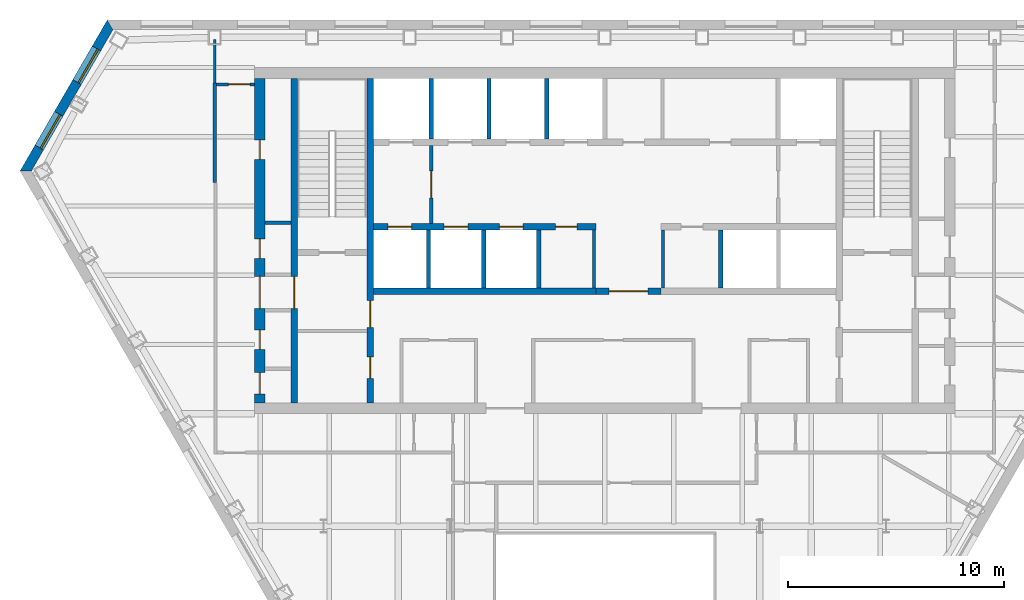
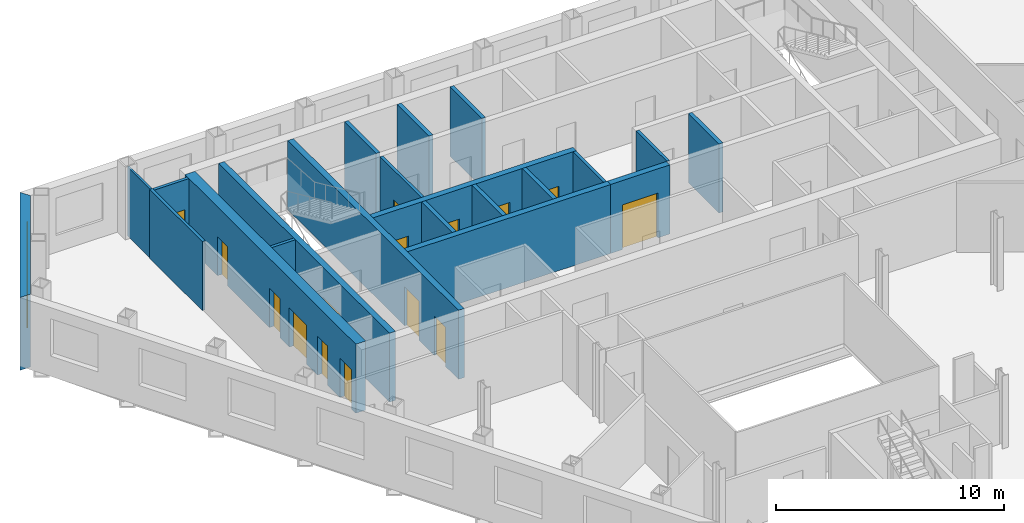
# One storey, part 6 of 11: 21 walls, 15 doors, 2 windows, 17 openings.
"""IFC4 building model written with IfcOpenShell, lengths in metres."""

from ifc_helpers import new_model, si_unit, direction, frame, frame_2d, origin, place, context, subcontext, project, spatial, polyline, rectangle, outline, extrude, material, layer, layer_set, type_object, element, fill, save


model = new_model("IFC4")

# Units and contexts
model_context = context("Model", 3, precision=1e-05, world=origin(), true_north=direction((0.0, 1.0)))
body_context = subcontext(model_context, "Body", "Model", "MODEL_VIEW")
ifc_project = project(units=[si_unit("LENGTHUNIT", "METRE"), si_unit("AREAUNIT", "SQUARE_METRE"), si_unit("VOLUMEUNIT", "CUBIC_METRE"), si_unit("PLANEANGLEUNIT", "RADIAN"), si_unit("MASSUNIT", "GRAM", prefix="KILO")], contexts=[model_context])

# Site, building, storey
site_placement = place(None, origin())
site = spatial("IfcSite", under=ifc_project, at=site_placement, CompositionType="ELEMENT")
building_placement = place(site_placement, origin())
building = spatial("IfcBuilding", under=site, at=building_placement, Name="Njiva Tower", CompositionType="ELEMENT")
storey_placement = place(building_placement, frame((0.0, 0.0, 174.9)))
storey = spatial("IfcBuildingStorey", under=building, at=storey_placement, Name="L38", CompositionType="ELEMENT", Elevation=174.9)

# Walls
ifc_material_1 = material(Name="Blockwork", Category="masonry")
ifc_layer_1 = layer(ifc_material_1, 0.15)
ifc_layer_set_1 = layer_set([ifc_layer_1], Name="Blockwork")
wall_type_1 = type_object("IfcWallType", Name="WT1 Compartment partition 150", PredefinedType="PARTITIONING", material=ifc_layer_set_1)
for number, where, z_axis, x_axis, name in (
    (1, (-0.5, 7.8, 0.0), (0.0, 0.0, 1.0), (0.0, 1.0, 0.0), "Partition CS4"),
    (2, (2.7, 7.8, 0.0), (0.0, 0.0, 1.0), (0.0, 1.0, 0.0), "Partition CS5"),
):
    element("IfcWall", number, at=place(storey_placement, frame(where, z_axis=z_axis, x_axis=x_axis)), inside=storey, type_object=wall_type_1, Name=name, PredefinedType="PARTITIONING", context=body_context, shape_type="SweptSolid", body=[
        extrude(rectangle(XDim=2.7, YDim=0.15, at=frame_2d((1.35, 0.0))), origin(), (0.0, 0.0, 1.0), 3.7),
    ])

# Wall, openings, doors
ifc_material_2 = material(Name="Concrete C40/50", Category="concrete")
ifc_layer_2 = layer(ifc_material_2, 0.3)
ifc_layer_set_2 = layer_set([ifc_layer_2], Name="Concrete C40/50")
wall_type_2 = type_object("IfcWallType", Name="WT10 Stair enclosure wall 300", PredefinedType="SHEAR", material=ifc_layer_set_2)
wall_1_placement = place(storey_placement, frame((-10.85, 2.5, 0.0), z_axis=(0.0, 0.0, 1.0), x_axis=(0.0, 1.0, 0.0)))
wall_1 = element("IfcWall", 3, at=wall_1_placement, inside=storey, type_object=wall_type_2, Name="Stair wall west inner", PredefinedType="SHEAR", context=body_context, shape_type="SweptSolid", body=[
    extrude(rectangle(XDim=15.0, YDim=0.3, at=frame_2d((7.5, 0.0))), origin(), (0.0, 0.0, 1.0), 3.7),
])
opening_1_placement = place(wall_1_placement, frame((3.475, 0.0, 0.0)))
opening_1 = element("IfcOpeningElement", 4, at=opening_1_placement, cuts=wall_1, Name="Opening S13-D915", PredefinedType="OPENING", context=body_context, shape_type="SweptSolid", body=[
    extrude(rectangle(XDim=1.25, YDim=2.1, at=frame_2d((0.625, 1.05))), frame((0.0, 0.16, 0.0), z_axis=(0.0, -1.0, 0.0), x_axis=(1.0, 0.0, 0.0)), (0.0, 0.0, 1.0), 0.32),
])
opening_2_placement = place(wall_1_placement, frame((1.125, 0.0, 0.0)))
opening_2 = element("IfcOpeningElement", 5, at=opening_2_placement, cuts=wall_1, Name="Opening S13-D916", PredefinedType="OPENING", context=body_context, shape_type="SweptSolid", body=[
    extrude(rectangle(XDim=1.0, YDim=2.1, at=frame_2d((0.5, 1.05))), frame((0.0, 0.16, 0.0), z_axis=(0.0, -1.0, 0.0), x_axis=(1.0, 0.0, 0.0)), (0.0, 0.0, 1.0), 0.32),
])
ifc_material_3 = material(Name="Steel door, painted", Category="steel")
door_type_1 = type_object("IfcDoorType", Name="D5 Steel door 1000x2100", OperationType="SINGLE_SWING_LEFT", PredefinedType="DOOR", material=ifc_material_3)
door_1_placement = place(opening_2_placement, origin())
door_1 = element("IfcDoor", 6, at=door_1_placement, inside=storey, type_object=door_type_1, Name="Reading room door", OperationType="SINGLE_SWING_RIGHT", OverallHeight=2.1, OverallWidth=1.0, PredefinedType="DOOR", context=body_context, shape_type="SweptSolid", body=[
    extrude(rectangle(XDim=1.0, YDim=2.1, at=frame_2d((0.5, 1.05))), frame((0.0, 0.025, 0.0), z_axis=(0.0, -1.0, 0.0), x_axis=(1.0, 0.0, 0.0)), (0.0, 0.0, 1.0), 0.05),
])
fill(opening_2, door_1)
ifc_material_4 = material(Name="Glazed steel fire door", Category="steel")
door_type_2 = type_object("IfcDoorType", Name="D8 Vestibule corridor door 1250x2100 glazed", OperationType="SINGLE_SWING_LEFT", PredefinedType="DOOR", material=ifc_material_4)
door_2_placement = place(opening_1_placement, origin())
door_2 = element("IfcDoor", 7, at=door_2_placement, inside=storey, type_object=door_type_2, Name="Stair vestibule corridor door", OperationType="SINGLE_SWING_LEFT", OverallHeight=2.1, OverallWidth=1.25, PredefinedType="DOOR", context=body_context, shape_type="SweptSolid", body=[
    extrude(rectangle(XDim=1.25, YDim=2.1, at=frame_2d((0.625, 1.05))), frame((0.0, 0.025, 0.0), z_axis=(0.0, -1.0, 0.0), x_axis=(1.0, 0.0, 0.0)), (0.0, 0.0, 1.0), 0.05),
])
fill(opening_1, door_2)

# Wall, opening, door
wall_2_placement = place(storey_placement, frame((-14.35, 2.5, 0.0), z_axis=(0.0, 0.0, 1.0), x_axis=(0.0, 1.0, 0.0)))
wall_2 = element("IfcWall", 8, at=wall_2_placement, inside=storey, type_object=wall_type_2, Name="Stair wall west outer", PredefinedType="SHEAR", context=body_context, shape_type="SweptSolid", body=[
    extrude(rectangle(XDim=15.0, YDim=0.3, at=frame_2d((7.5, 0.0))), origin(), (0.0, 0.0, 1.0), 3.7),
])
opening_3_placement = place(wall_2_placement, frame((4.35, 0.0, 0.0)))
opening_3 = element("IfcOpeningElement", 9, at=opening_3_placement, cuts=wall_2, Name="Opening S13-D921", PredefinedType="OPENING", context=body_context, shape_type="SweptSolid", body=[
    extrude(rectangle(XDim=1.5, YDim=2.1, at=frame_2d((0.75, 1.05))), frame((0.0, 0.16, 0.0), z_axis=(0.0, -1.0, 0.0), x_axis=(1.0, 0.0, 0.0)), (0.0, 0.0, 1.0), 0.32),
])
door_type_3 = type_object("IfcDoorType", Name="D10 Exit door double 1500x2100 glazed", OperationType="DOUBLE_DOOR_SINGLE_SWING", PredefinedType="DOOR", material=ifc_material_4)
door_3_placement = place(opening_3_placement, origin())
door_3 = element("IfcDoor", 10, at=door_3_placement, inside=storey, type_object=door_type_3, Name="Stair A passage door", OperationType="DOUBLE_DOOR_SINGLE_SWING", OverallHeight=2.1, OverallWidth=1.5, PredefinedType="DOOR", context=body_context, shape_type="SweptSolid", body=[
    extrude(rectangle(XDim=1.5, YDim=2.1, at=frame_2d((0.75, 1.05))), frame((0.0, 0.025, 0.0), z_axis=(0.0, -1.0, 0.0), x_axis=(1.0, 0.0, 0.0)), (0.0, 0.0, 1.0), 0.05),
])
fill(opening_3, door_3)

# Wall, openings, doors
ifc_material_5 = material(Name="Concrete C60/75", Category="concrete")
ifc_layer_3 = layer(ifc_material_5, 0.5)
ifc_layer_set_3 = layer_set([ifc_layer_3], Name="Concrete C60/75")
wall_type_3 = type_object("IfcWallType", Name="WT13 Core wall 500", PredefinedType="SHEAR", material=ifc_layer_set_3)
wall_3_placement = place(storey_placement, frame((-15.95, 2.5, 0.0), z_axis=(0.0, 0.0, 1.0), x_axis=(0.0, 1.0, 0.0)))
wall_3 = element("IfcWall", 11, at=wall_3_placement, inside=storey, type_object=wall_type_3, Name="Core wall west", PredefinedType="SHEAR", context=body_context, shape_type="SweptSolid", body=[
    extrude(rectangle(XDim=15.0, YDim=0.5, at=frame_2d((7.5, 0.0))), origin(), (0.0, 0.0, 1.0), 3.7),
])
opening_4_placement = place(wall_3_placement, frame((4.35, 0.0, 0.0)))
opening_4 = element("IfcOpeningElement", 12, at=opening_4_placement, cuts=wall_3, Name="Opening S13-D922", PredefinedType="OPENING", context=body_context, shape_type="SweptSolid", body=[
    extrude(rectangle(XDim=1.5, YDim=2.1, at=frame_2d((0.75, 1.05))), frame((0.0, 0.26, 0.0), z_axis=(0.0, -1.0, 0.0), x_axis=(1.0, 0.0, 0.0)), (0.0, 0.0, 1.0), 0.52),
])
opening_5_placement = place(wall_3_placement, frame((0.4, 0.0, 0.0)))
opening_5 = element("IfcOpeningElement", 13, at=opening_5_placement, cuts=wall_3, Name="Opening S13-D923", PredefinedType="OPENING", context=body_context, shape_type="SweptSolid", body=[
    extrude(rectangle(XDim=1.0, YDim=2.1, at=frame_2d((0.5, 1.05))), frame((0.0, 0.26, 0.0), z_axis=(0.0, -1.0, 0.0), x_axis=(1.0, 0.0, 0.0)), (0.0, 0.0, 1.0), 0.52),
])
opening_6_placement = place(wall_3_placement, frame((2.475, 0.0, 0.0)))
opening_6 = element("IfcOpeningElement", 14, at=opening_6_placement, cuts=wall_3, Name="Opening S13-D924", PredefinedType="OPENING", context=body_context, shape_type="SweptSolid", body=[
    extrude(rectangle(XDim=0.9, YDim=2.1, at=frame_2d((0.45, 1.05))), frame((0.0, 0.26, 0.0), z_axis=(0.0, -1.0, 0.0), x_axis=(1.0, 0.0, 0.0)), (0.0, 0.0, 1.0), 0.52),
])
opening_7_placement = place(wall_3_placement, frame((6.6773, 0.0, 0.0)))
opening_7 = element("IfcOpeningElement", 15, at=opening_7_placement, cuts=wall_3, Name="Opening S13-D925", PredefinedType="OPENING", context=body_context, shape_type="SweptSolid", body=[
    extrude(rectangle(XDim=0.9, YDim=2.1, at=frame_2d((0.45, 1.05))), frame((0.0, 0.26, 0.0), z_axis=(0.0, -1.0, 0.0), x_axis=(1.0, 0.0, 0.0)), (0.0, 0.0, 1.0), 0.52),
])
opening_8_placement = place(wall_3_placement, frame((11.2523, 0.0, 0.0)))
opening_8 = element("IfcOpeningElement", 16, at=opening_8_placement, cuts=wall_3, Name="Opening S13-D926", PredefinedType="OPENING", context=body_context, shape_type="SweptSolid", body=[
    extrude(rectangle(XDim=0.9, YDim=2.1, at=frame_2d((0.45, 1.05))), frame((0.0, 0.26, 0.0), z_axis=(0.0, -1.0, 0.0), x_axis=(1.0, 0.0, 0.0)), (0.0, 0.0, 1.0), 0.52),
])
door_4_placement = place(opening_4_placement, origin())
door_4 = element("IfcDoor", 17, at=door_4_placement, inside=storey, type_object=door_type_3, Name="Stair A corridor door", OperationType="DOUBLE_DOOR_SINGLE_SWING", OverallHeight=2.1, OverallWidth=1.5, PredefinedType="DOOR", context=body_context, shape_type="SweptSolid", body=[
    extrude(rectangle(XDim=1.5, YDim=2.1, at=frame_2d((0.75, 1.05))), frame((0.0, 0.025, 0.0), z_axis=(0.0, -1.0, 0.0), x_axis=(1.0, 0.0, 0.0)), (0.0, 0.0, 1.0), 0.05),
])
fill(opening_4, door_4)
door_type_4 = type_object("IfcDoorType", Name="D4 Riser door 900x2100", OperationType="SINGLE_SWING_LEFT", PredefinedType="DOOR", material=ifc_material_3)
door_5_placement = place(opening_7_placement, origin())
door_5 = element("IfcDoor", 18, at=door_5_placement, inside=storey, type_object=door_type_4, Name="Cable riser door", OperationType="SINGLE_SWING_RIGHT", OverallHeight=2.1, OverallWidth=0.9, PredefinedType="DOOR", context=body_context, shape_type="SweptSolid", body=[
    extrude(rectangle(XDim=0.9, YDim=2.1, at=frame_2d((0.45, 1.05))), frame((0.0, 0.025, 0.0), z_axis=(0.0, -1.0, 0.0), x_axis=(1.0, 0.0, 0.0)), (0.0, 0.0, 1.0), 0.05),
])
fill(opening_7, door_5)
door_6_placement = place(opening_5_placement, origin())
door_6 = element("IfcDoor", 19, at=door_6_placement, inside=storey, type_object=door_type_1, Name="Electrical room door", OperationType="SINGLE_SWING_RIGHT", OverallHeight=2.1, OverallWidth=1.0, PredefinedType="DOOR", context=body_context, shape_type="SweptSolid", body=[
    extrude(rectangle(XDim=1.0, YDim=2.1, at=frame_2d((0.5, 1.05))), frame((0.0, 0.025, 0.0), z_axis=(0.0, -1.0, 0.0), x_axis=(1.0, 0.0, 0.0)), (0.0, 0.0, 1.0), 0.05),
])
fill(opening_5, door_6)
ifc_material_6 = material(Name="Steel fire door, painted", Category="steel")
door_type_5 = type_object("IfcDoorType", Name="D6 Fire-rated door 900x2100", OperationType="SINGLE_SWING_LEFT", PredefinedType="DOOR", material=ifc_material_6)
door_7_placement = place(opening_6_placement, origin())
door_7 = element("IfcDoor", 20, at=door_7_placement, inside=storey, type_object=door_type_5, Name="Cable store door", OperationType="SINGLE_SWING_RIGHT", OverallHeight=2.1, OverallWidth=0.9, PredefinedType="DOOR", context=body_context, shape_type="SweptSolid", body=[
    extrude(rectangle(XDim=0.9, YDim=2.1, at=frame_2d((0.45, 1.05))), frame((0.0, 0.025, 0.0), z_axis=(0.0, -1.0, 0.0), x_axis=(1.0, 0.0, 0.0)), (0.0, 0.0, 1.0), 0.05),
])
fill(opening_6, door_7)
door_8_placement = place(opening_8_placement, origin())
door_8 = element("IfcDoor", 21, at=door_8_placement, inside=storey, type_object=door_type_5, Name="Cable store door", OperationType="SINGLE_SWING_LEFT", OverallHeight=2.1, OverallWidth=0.9, PredefinedType="DOOR", context=body_context, shape_type="SweptSolid", body=[
    extrude(rectangle(XDim=0.9, YDim=2.1, at=frame_2d((0.45, 1.05))), frame((0.0, 0.025, 0.0), z_axis=(0.0, -1.0, 0.0), x_axis=(1.0, 0.0, 0.0)), (0.0, 0.0, 1.0), 0.05),
])
fill(opening_8, door_8)

# Wall, opening, door
ifc_layer_4 = layer(ifc_material_1, 0.15)
ifc_layer_set_4 = layer_set([ifc_layer_4], Name="Blockwork")
wall_type_4 = type_object("IfcWallType", Name="WT2 Lobby partition 150", PredefinedType="PARTITIONING", material=ifc_layer_set_4)
wall_4_placement = place(storey_placement, frame((-8.025, 10.8, 0.0), z_axis=(0.0, 0.0, 1.0), x_axis=(0.0, 1.0, 0.0)))
wall_4 = element("IfcWall", 22, at=wall_4_placement, inside=storey, type_object=wall_type_4, Name="Firefighting lobby wall A", PredefinedType="PARTITIONING", context=body_context, shape_type="SweptSolid", body=[
    extrude(rectangle(XDim=3.6, YDim=0.15, at=frame_2d((1.8, 0.0))), origin(), (0.0, 0.0, 1.0), 3.7),
])
opening_9_placement = place(wall_4_placement, frame((1.175, 0.0, 0.0)))
opening_9 = element("IfcOpeningElement", 23, at=opening_9_placement, cuts=wall_4, Name="Opening S13-D913", PredefinedType="OPENING", context=body_context, shape_type="SweptSolid", body=[
    extrude(rectangle(XDim=1.25, YDim=2.1, at=frame_2d((0.625, 1.05))), frame((0.0, 0.085, 0.0), z_axis=(0.0, -1.0, 0.0), x_axis=(1.0, 0.0, 0.0)), (0.0, 0.0, 1.0), 0.17),
])
door_9_placement = place(opening_9_placement, origin())
door_9 = element("IfcDoor", 24, at=door_9_placement, inside=storey, type_object=door_type_2, Name="Stair vestibule corridor door", OperationType="SINGLE_SWING_RIGHT", OverallHeight=2.1, OverallWidth=1.25, PredefinedType="DOOR", context=body_context, shape_type="SweptSolid", body=[
    extrude(rectangle(XDim=1.25, YDim=2.1, at=frame_2d((0.625, 1.05))), frame((0.0, 0.025, 0.0), z_axis=(0.0, -1.0, 0.0), x_axis=(1.0, 0.0, 0.0)), (0.0, 0.0, 1.0), 0.05),
])
fill(opening_9, door_9)

# Walls
ifc_material_7 = material(Name="Gypsum board on steel studs", Category="gypsum")
ifc_layer_5 = layer(ifc_material_7, 0.1)
ifc_layer_set_5 = layer_set([ifc_layer_5], Name="Gypsum board on steel studs")
wall_type_5 = type_object("IfcWallType", Name="WT20 Gypsum partition 100", PredefinedType="PARTITIONING", material=ifc_layer_set_5)
wall_5_placement = place(storey_placement, frame((-18.034, 17.297, 0.0), z_axis=(0.0, 0.0, 1.0), x_axis=(0.0, 1.0, 0.0)))
element("IfcWall", 25, at=wall_5_placement, inside=storey, type_object=wall_type_5, Name="Partition S13-P002", PredefinedType="PARTITIONING", context=body_context, shape_type="SweptSolid", body=[
    extrude(rectangle(XDim=2.003, YDim=0.1, at=frame_2d((1.0015, 0.0))), origin(), (0.0, 0.0, 1.0), 3.7),
])
ifc_layer_6 = layer(ifc_material_7, 0.15)
ifc_layer_set_6 = layer_set([ifc_layer_6], Name="Gypsum board on steel studs")
wall_type_6 = type_object("IfcWallType", Name="WT21 Compartment wall 150", PredefinedType="PARTITIONING", material=ifc_layer_set_6)
wall_6_placement = place(storey_placement, frame((-18.034, 12.677, 0.0), z_axis=(0.0, 0.0, 1.0), x_axis=(0.0, 1.0, 0.0)))
element("IfcWall", 26, at=wall_6_placement, inside=storey, type_object=wall_type_6, Name="Partition S13-P001", PredefinedType="PARTITIONING", context=body_context, shape_type="SweptSolid", body=[
    extrude(rectangle(XDim=4.62, YDim=0.15, at=frame_2d((2.31, 0.0))), origin(), (0.0, 0.0, 1.0), 3.7),
])

# Wall, opening, door
wall_7_placement = place(storey_placement, frame((-17.959, 17.222, 0.0), z_axis=(0.0, 0.0, 1.0), x_axis=(1.0, 0.0, 0.0)))
wall_7 = element("IfcWall", 27, at=wall_7_placement, inside=storey, type_object=wall_type_6, Name="Partition S13-P004", PredefinedType="PARTITIONING", context=body_context, shape_type="SweptSolid", body=[
    extrude(rectangle(XDim=1.759, YDim=0.15, at=frame_2d((0.8795, 0.0))), origin(), (0.0, 0.0, 1.0), 3.7),
])
opening_10_placement = place(wall_7_placement, frame((0.559, 0.0, 0.0)))
opening_10 = element("IfcOpeningElement", 28, at=opening_10_placement, cuts=wall_7, Name="Opening S13-D001", PredefinedType="OPENING", context=body_context, shape_type="SweptSolid", body=[
    extrude(rectangle(XDim=1.0, YDim=2.1, at=frame_2d((0.5, 1.05))), frame((0.0, 0.085, 0.0), z_axis=(0.0, -1.0, 0.0), x_axis=(1.0, 0.0, 0.0)), (0.0, 0.0, 1.0), 0.17),
])
ifc_material_8 = material(Name="Steel fire door set", Category="steel")
door_type_6 = type_object("IfcDoorType", Name="D37 Fire door 1000x2100", OperationType="SINGLE_SWING_LEFT", PredefinedType="DOOR", material=ifc_material_8)
door_10_placement = place(opening_10_placement, origin())
door_10 = element("IfcDoor", 29, at=door_10_placement, inside=storey, type_object=door_type_6, Name="Door S13-D001", OperationType="SINGLE_SWING_LEFT", OverallHeight=2.1, OverallWidth=1.0, PredefinedType="DOOR", context=body_context, shape_type="SweptSolid", body=[
    extrude(rectangle(XDim=1.0, YDim=2.1, at=frame_2d((0.5, 1.05))), frame((0.0, 0.025, 0.0), z_axis=(0.0, -1.0, 0.0), x_axis=(1.0, 0.0, 0.0)), (0.0, 0.0, 1.0), 0.05),
])
fill(opening_10, door_10)

# Wall
ifc_layer_7 = layer(ifc_material_1, 0.15)
ifc_layer_set_7 = layer_set([ifc_layer_7], Name="Blockwork")
wall_type_7 = type_object("IfcWallType", Name="WT3 Riser partition 150", PredefinedType="PARTITIONING", material=ifc_layer_set_7)
wall_8_placement = place(storey_placement, frame((-15.7, 10.8295, 0.0), z_axis=(0.0, 0.0, 1.0), x_axis=(1.0, 0.0, 0.0)))
element("IfcWall", 30, at=wall_8_placement, inside=storey, type_object=wall_type_7, Name="Partition strip W10", PredefinedType="PARTITIONING", context=body_context, shape_type="SweptSolid", body=[
    extrude(rectangle(XDim=1.2, YDim=0.15, at=frame_2d((0.6, 0.0))), origin(), (0.0, 0.0, 1.0), 3.7),
])

# Wall, opening, door
ifc_layer_8 = layer(ifc_material_1, 0.3)
ifc_layer_set_8 = layer_set([ifc_layer_8], Name="Blockwork")
wall_type_8 = type_object("IfcWallType", Name="WT5 Lobby partition 300", PredefinedType="PARTITIONING", material=ifc_layer_set_8)
wall_9_placement = place(storey_placement, frame((-0.4, 7.65, 0.0), z_axis=(0.0, 0.0, 1.0), x_axis=(1.0, 0.0, 0.0)))
wall_9 = element("IfcWall", 31, at=wall_9_placement, inside=storey, type_object=wall_type_8, Name="Lift lobby screen wall", PredefinedType="PARTITIONING", context=body_context, shape_type="SweptSolid", body=[
    extrude(rectangle(XDim=3.0, YDim=0.3, at=frame_2d((1.5, 0.0))), origin(), (0.0, 0.0, 1.0), 3.7),
])
opening_11_placement = place(wall_9_placement, frame((0.6, 0.0, 0.0)))
opening_11 = element("IfcOpeningElement", 32, at=opening_11_placement, cuts=wall_9, Name="Opening S13-D936", PredefinedType="OPENING", context=body_context, shape_type="SweptSolid", body=[
    extrude(rectangle(XDim=1.8, YDim=2.4, at=frame_2d((0.9, 1.2))), frame((0.0, 0.16, 0.0), z_axis=(0.0, -1.0, 0.0), x_axis=(1.0, 0.0, 0.0)), (0.0, 0.0, 1.0), 0.32),
])
ifc_material_9 = material(Name="Steel and glass door", Category="steel")
door_type_7 = type_object("IfcDoorType", Name="D3 Core entrance door 1800x2400", OperationType="DOUBLE_DOOR_SINGLE_SWING", PredefinedType="DOOR", material=ifc_material_9)
door_11_placement = place(opening_11_placement, origin())
door_11 = element("IfcDoor", 33, at=door_11_placement, inside=storey, type_object=door_type_7, Name="Core entrance door", OperationType="DOUBLE_DOOR_SINGLE_SWING", OverallHeight=2.4, OverallWidth=1.8, PredefinedType="DOOR", context=body_context, shape_type="SweptSolid", body=[
    extrude(rectangle(XDim=1.8, YDim=2.4, at=frame_2d((0.9, 1.2))), frame((0.0, 0.025, 0.0), z_axis=(0.0, -1.0, 0.0), x_axis=(1.0, 0.0, 0.0)), (0.0, 0.0, 1.0), 0.05),
])
fill(opening_11, door_11)

# Walls
ifc_layer_9 = layer(ifc_material_2, 0.2)
ifc_layer_set_9 = layer_set([ifc_layer_9], Name="Concrete C40/50")
wall_type_9 = type_object("IfcWallType", Name="WT6 Lift shaft wall 200", PredefinedType="SHEAR", material=ifc_layer_set_9)
for number, where, z_axis, x_axis, name in (
    (34, (-8.025, 14.7, 0.0), (0.0, 0.0, 1.0), (0.0, 1.0, 0.0), "Shaft wall CN1"),
    (35, (-5.35, 14.7, 0.0), (0.0, 0.0, 1.0), (0.0, 1.0, 0.0), "Shaft wall CN2"),
    (36, (-2.675, 14.7, 0.0), (0.0, 0.0, 1.0), (0.0, 1.0, 0.0), "Shaft wall CN3"),
):
    element("IfcWall", number, at=place(storey_placement, frame(where, z_axis=z_axis, x_axis=x_axis)), inside=storey, type_object=wall_type_9, Name=name, PredefinedType="SHEAR", context=body_context, shape_type="SweptSolid", body=[
        extrude(rectangle(XDim=2.8, YDim=0.2, at=frame_2d((1.4, 0.0))), origin(), (0.0, 0.0, 1.0), 3.7),
    ])
for number, where, z_axis, x_axis, name in (
    (37, (-8.15, 7.8, 0.0), (0.0, 0.0, 1.0), (0.0, 1.0, 0.0), "Shaft wall CS1"),
    (38, (-5.6, 7.8, 0.0), (0.0, 0.0, 1.0), (0.0, 1.0, 0.0), "Shaft wall CS2"),
    (39, (-3.05, 7.8, 0.0), (0.0, 0.0, 1.0), (0.0, 1.0, 0.0), "Shaft wall CS3"),
    (40, (5.3667, 7.8, 0.0), (0.0, 0.0, 1.0), (0.0, 1.0, 0.0), "Shaft wall CS6"),
):
    element("IfcWall", number, at=place(storey_placement, frame(where, z_axis=z_axis, x_axis=x_axis)), inside=storey, type_object=wall_type_9, Name=name, PredefinedType="SHEAR", context=body_context, shape_type="SweptSolid", body=[
        extrude(rectangle(XDim=2.7, YDim=0.2, at=frame_2d((1.35, 0.0))), origin(), (0.0, 0.0, 1.0), 3.7),
    ])

# Wall, openings, doors
ifc_layer_10 = layer(ifc_material_2, 0.3)
ifc_layer_set_10 = layer_set([ifc_layer_10], Name="Concrete C40/50")
wall_type_10 = type_object("IfcWallType", Name="WT7 Lift shaft wall 300", PredefinedType="SHEAR", material=ifc_layer_set_10)
wall_10_placement = place(storey_placement, frame((-10.7, 10.65, 0.0), z_axis=(0.0, 0.0, 1.0), x_axis=(1.0, 0.0, 0.0)))
wall_10 = element("IfcWall", 41, at=wall_10_placement, inside=storey, type_object=wall_type_10, Name="Shaft wall south row lobby side W", PredefinedType="SHEAR", context=body_context, shape_type="SweptSolid", body=[
    extrude(rectangle(XDim=10.3, YDim=0.3, at=frame_2d((5.15, 0.0))), origin(), (0.0, 0.0, 1.0), 3.7),
])
opening_12_placement = place(wall_10_placement, frame((0.675, 0.0, 0.0)))
opening_12 = element("IfcOpeningElement", 42, at=opening_12_placement, cuts=wall_10, Name="Opening S13-D906", PredefinedType="OPENING", context=body_context, shape_type="SweptSolid", body=[
    extrude(rectangle(XDim=1.1, YDim=2.1, at=frame_2d((0.55, 1.05))), frame((0.0, 0.16, 0.0), z_axis=(0.0, -1.0, 0.0), x_axis=(1.0, 0.0, 0.0)), (0.0, 0.0, 1.0), 0.32),
])
opening_13_placement = place(wall_10_placement, frame((3.275, 0.0, 0.0)))
opening_13 = element("IfcOpeningElement", 43, at=opening_13_placement, cuts=wall_10, Name="Opening S13-D907", PredefinedType="OPENING", context=body_context, shape_type="SweptSolid", body=[
    extrude(rectangle(XDim=1.1, YDim=2.1, at=frame_2d((0.55, 1.05))), frame((0.0, 0.16, 0.0), z_axis=(0.0, -1.0, 0.0), x_axis=(1.0, 0.0, 0.0)), (0.0, 0.0, 1.0), 0.32),
])
opening_14_placement = place(wall_10_placement, frame((5.825, 0.0, 0.0)))
opening_14 = element("IfcOpeningElement", 44, at=opening_14_placement, cuts=wall_10, Name="Opening S13-D908", PredefinedType="OPENING", context=body_context, shape_type="SweptSolid", body=[
    extrude(rectangle(XDim=1.1, YDim=2.1, at=frame_2d((0.55, 1.05))), frame((0.0, 0.16, 0.0), z_axis=(0.0, -1.0, 0.0), x_axis=(1.0, 0.0, 0.0)), (0.0, 0.0, 1.0), 0.32),
])
opening_15_placement = place(wall_10_placement, frame((8.425, 0.0, 0.0)))
opening_15 = element("IfcOpeningElement", 45, at=opening_15_placement, cuts=wall_10, Name="Opening S13-D911", PredefinedType="OPENING", context=body_context, shape_type="SweptSolid", body=[
    extrude(rectangle(XDim=1.0, YDim=2.1, at=frame_2d((0.5, 1.05))), frame((0.0, 0.16, 0.0), z_axis=(0.0, -1.0, 0.0), x_axis=(1.0, 0.0, 0.0)), (0.0, 0.0, 1.0), 0.32),
])
door_12_placement = place(opening_15_placement, origin())
door_12 = element("IfcDoor", 46, at=door_12_placement, inside=storey, type_object=door_type_1, Name="Business centre door", OperationType="SINGLE_SWING_RIGHT", OverallHeight=2.1, OverallWidth=1.0, PredefinedType="DOOR", context=body_context, shape_type="SweptSolid", body=[
    extrude(rectangle(XDim=1.0, YDim=2.1, at=frame_2d((0.5, 1.05))), frame((0.0, 0.025, 0.0), z_axis=(0.0, -1.0, 0.0), x_axis=(1.0, 0.0, 0.0)), (0.0, 0.0, 1.0), 0.05),
])
fill(opening_15, door_12)
ifc_material_10 = material(Name="Stainless steel sliding door", Category="steel")
door_type_8 = type_object("IfcDoorType", Name="LD Lift landing door 1100x2100", OperationType="SLIDING_TO_LEFT", PredefinedType="DOOR", material=ifc_material_10)
door_13_placement = place(opening_12_placement, origin())
door_13 = element("IfcDoor", 47, at=door_13_placement, inside=storey, type_object=door_type_8, Name="Lift landing door MB1", OperationType="SLIDING_TO_LEFT", OverallHeight=2.1, OverallWidth=1.1, PredefinedType="DOOR", context=body_context, shape_type="SweptSolid", body=[
    extrude(rectangle(XDim=1.1, YDim=2.1, at=frame_2d((0.55, 1.05))), frame((0.0, 0.025, 0.0), z_axis=(0.0, -1.0, 0.0), x_axis=(1.0, 0.0, 0.0)), (0.0, 0.0, 1.0), 0.05),
])
fill(opening_12, door_13)
door_14_placement = place(opening_13_placement, origin())
door_14 = element("IfcDoor", 48, at=door_14_placement, inside=storey, type_object=door_type_8, Name="Lift landing door MB2", OperationType="SLIDING_TO_LEFT", OverallHeight=2.1, OverallWidth=1.1, PredefinedType="DOOR", context=body_context, shape_type="SweptSolid", body=[
    extrude(rectangle(XDim=1.1, YDim=2.1, at=frame_2d((0.55, 1.05))), frame((0.0, 0.025, 0.0), z_axis=(0.0, -1.0, 0.0), x_axis=(1.0, 0.0, 0.0)), (0.0, 0.0, 1.0), 0.05),
])
fill(opening_13, door_14)
door_15_placement = place(opening_14_placement, origin())
door_15 = element("IfcDoor", 49, at=door_15_placement, inside=storey, type_object=door_type_8, Name="Lift landing door MB3", OperationType="SLIDING_TO_LEFT", OverallHeight=2.1, OverallWidth=1.1, PredefinedType="DOOR", context=body_context, shape_type="SweptSolid", body=[
    extrude(rectangle(XDim=1.1, YDim=2.1, at=frame_2d((0.55, 1.05))), frame((0.0, 0.025, 0.0), z_axis=(0.0, -1.0, 0.0), x_axis=(1.0, 0.0, 0.0)), (0.0, 0.0, 1.0), 0.05),
])
fill(opening_14, door_15)

# Wall
wall_11_placement = place(storey_placement, frame((-10.7, 7.65, 0.0), z_axis=(0.0, 0.0, 1.0), x_axis=(1.0, 0.0, 0.0)))
element("IfcWall", 50, at=wall_11_placement, inside=storey, type_object=wall_type_10, Name="Shaft wall south row back W", PredefinedType="SHEAR", context=body_context, shape_type="SweptSolid", body=[
    extrude(rectangle(XDim=10.3, YDim=0.3, at=frame_2d((5.15, 0.0))), origin(), (0.0, 0.0, 1.0), 3.7),
])

# Wall, openings, windows
ifc_material_11 = material(Name="Brick masonry, buff", Category="masonry")
ifc_layer_11 = layer(ifc_material_11, 0.45)
ifc_layer_set_11 = layer_set([ifc_layer_11], Name="Brick masonry, buff")
wall_type_11 = type_object("IfcWallType", Name="WT94 Brick pier and spandrel wall 450, buff", PredefinedType="SOLIDWALL", material=ifc_layer_set_11)
wall_12_placement = place(storey_placement, frame((-22.8713, 19.9728, -0.4), z_axis=(0.0, 0.0, 1.0), x_axis=(-0.500003961136, -0.86602311681, 0.0)))
wall_12 = element("IfcWall", 51, at=wall_12_placement, inside=storey, type_object=wall_type_11, Name="Facade wall NW", PredefinedType="SOLIDWALL", context=body_context, shape_type="SweptSolid", body=[
    extrude(outline(polyline([(-0.1299, -0.225), (7.93, -0.225), (7.6702, 0.225), (0.1299, 0.225), (-0.1299, -0.225)])), origin(), (0.0, 0.0, 1.0), 3.9),
])
opening_16_placement = place(wall_12_placement, frame((1.2544, 0.0, 1.3)))
opening_16 = element("IfcOpeningElement", 52, at=opening_16_placement, cuts=wall_12, Name="Opening S13-W10", PredefinedType="OPENING", context=body_context, shape_type="SweptSolid", body=[
    extrude(rectangle(XDim=1.8, YDim=2.0, at=frame_2d((0.9, 1.0))), frame((0.0, 0.235, 0.0), z_axis=(0.0, -1.0, 0.0), x_axis=(1.0, 0.0, 0.0)), (0.0, 0.0, 1.0), 0.47),
])
opening_17_placement = place(wall_12_placement, frame((4.7457, 0.0, 1.3)))
opening_17 = element("IfcOpeningElement", 53, at=opening_17_placement, cuts=wall_12, Name="Opening S13-W11", PredefinedType="OPENING", context=body_context, shape_type="SweptSolid", body=[
    extrude(rectangle(XDim=1.8, YDim=2.0, at=frame_2d((0.9, 1.0))), frame((0.0, 0.235, 0.0), z_axis=(0.0, -1.0, 0.0), x_axis=(1.0, 0.0, 0.0)), (0.0, 0.0, 1.0), 0.47),
])
ifc_material_12 = material(Name="Clear glazing in aluminium frame", Category="aluminium")
window_type = type_object("IfcWindowType", Name="W94 Deep-set window 1800x2000", PartitioningType="SINGLE_PANEL", PredefinedType="WINDOW", material=ifc_material_12)
window_1_placement = place(opening_16_placement, origin())
window_1 = element("IfcWindow", 54, at=window_1_placement, inside=storey, type_object=window_type, Name="Window", OverallHeight=2.0, OverallWidth=1.8, PartitioningType="SINGLE_PANEL", PredefinedType="WINDOW", context=body_context, shape_type="SweptSolid", body=[
    extrude(rectangle(XDim=1.8, YDim=2.0, at=frame_2d((0.9, 1.0))), frame((0.0, 0.105, 0.0), z_axis=(0.0, -1.0, 0.0), x_axis=(1.0, 0.0, 0.0)), (0.0, 0.0, 1.0), 0.06),
])
fill(opening_16, window_1)
window_2_placement = place(opening_17_placement, origin())
window_2 = element("IfcWindow", 55, at=window_2_placement, inside=storey, type_object=window_type, Name="Window", OverallHeight=2.0, OverallWidth=1.8, PartitioningType="SINGLE_PANEL", PredefinedType="WINDOW", context=body_context, shape_type="SweptSolid", body=[
    extrude(rectangle(XDim=1.8, YDim=2.0, at=frame_2d((0.9, 1.0))), frame((0.0, 0.105, 0.0), z_axis=(0.0, -1.0, 0.0), x_axis=(1.0, 0.0, 0.0)), (0.0, 0.0, 1.0), 0.06),
])
fill(opening_17, window_2)

save(model, "model.ifc")
